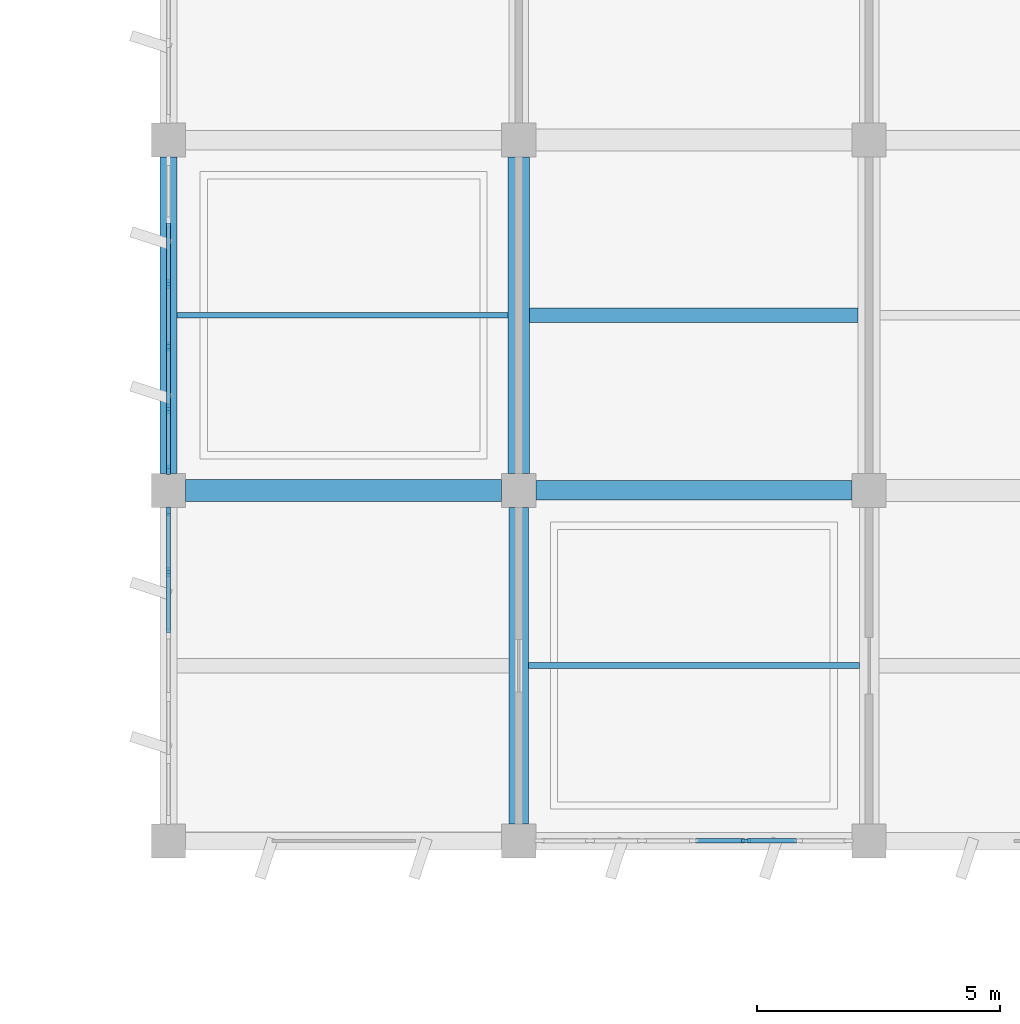
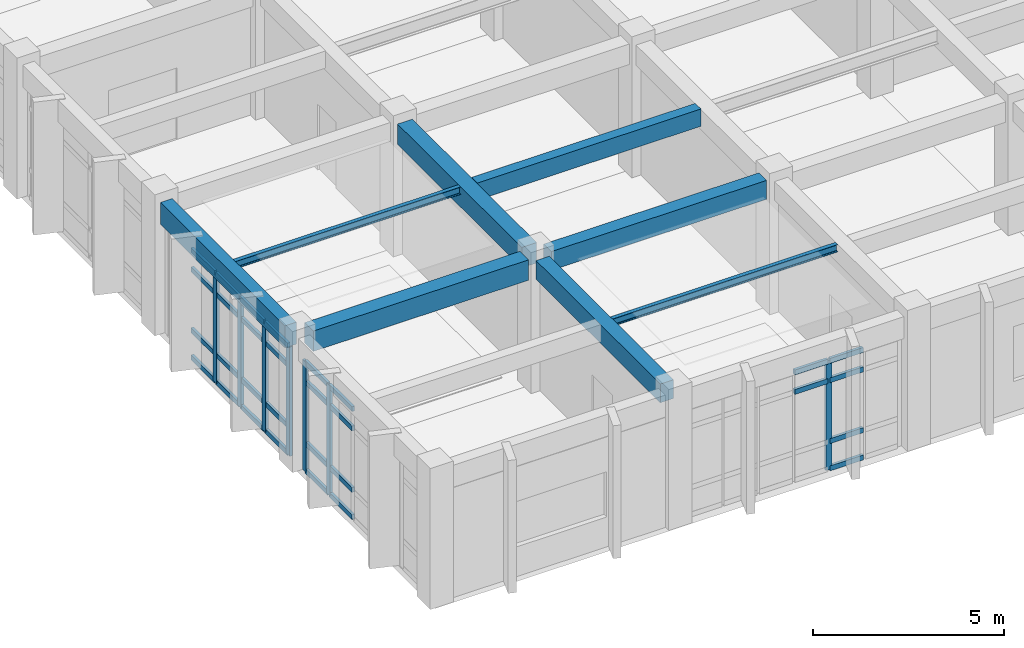
# One storey, part 15 of 81: 39 members, 6 beams, 3 elements without a shape of their own.
"""IFC4 building model written with IfcOpenShell, lengths in metres."""

import ifcopenshell
import ifcopenshell.guid

model = None  # the IFC model being written
_history = None  # IfcOwnerHistory: only IFC2X3 demands one
_inside = {}  # id of a spatial element -> (the spatial element, [elements in it])
_under = {}  # id of a project, library or spatial element -> (it, [spatial elements below it])
_declared = {}  # id of a project -> (the project, [libraries it declares])
_typed = {}  # id of a type object -> (the type object, [elements of that type])
_made_of = {}  # id of a material, layer set ... -> (it, [elements and type objects made of it])


def new_model(schema):
    """Start an empty IFC model of exactly this schema.

    Asked for "IFC4X3", IfcOpenShell would pick the latest addendum, in which some entities
    have other attributes; the version numbers below select the first issue.
    IFC2X3 requires an IfcOwnerHistory on every rooted entity: one is made here for all.
    """
    global model, _history
    if schema == "IFC4X3":
        model = ifcopenshell.file(schema_version=(4, 3, 0, 0))
    else:
        model = ifcopenshell.file(schema=schema)
    _inside.clear()
    _under.clear()
    _declared.clear()
    _typed.clear()
    _made_of.clear()
    _history = None
    if model.schema == "IFC2X3":
        org = make("IfcOrganization", Name="unknown")
        user = make(
            "IfcPersonAndOrganization",
            ThePerson=make("IfcPerson", FamilyName="unknown"),
            TheOrganization=org,
        )
        app = make(
            "IfcApplication",
            ApplicationDeveloper=org,
            Version="unknown",
            ApplicationFullName="unknown",
            ApplicationIdentifier="unknown",
        )
        _history = make(
            "IfcOwnerHistory",
            OwningUser=user,
            OwningApplication=app,
            ChangeAction="ADDED",
            CreationDate=0,
        )
    return model


def make(cls, **values):
    """One entity of the class cls with the attributes given. An attribute that is None is left unset."""
    return model.create_entity(
        cls, **{name: value for name, value in values.items() if value is not None}
    )


def rooted(cls, **values):
    """An entity with a GlobalId (a new one), such as an element, a storey or a relation."""
    return make(cls, GlobalId=ifcopenshell.guid.new(), OwnerHistory=_history, **values)


def si_unit(unit_type, name, prefix=None):
    """IfcSIUnit, for example si_unit("LENGTHUNIT", "METRE", prefix="MILLI")."""
    return make("IfcSIUnit", UnitType=unit_type, Prefix=prefix, Name=name)


def assignment(units):
    """IfcUnitAssignment: the units of a project."""
    return None if units is None else make("IfcUnitAssignment", Units=units)


def point(xyz):
    """IfcCartesianPoint."""
    return None if xyz is None else make("IfcCartesianPoint", Coordinates=xyz)


def direction(xyz):
    """IfcDirection."""
    return None if xyz is None else make("IfcDirection", DirectionRatios=xyz)


def frame(location, z_axis=None, x_axis=None):
    """IfcAxis2Placement3D, a coordinate frame: its origin and axes. An axis left out is left unset."""
    return make(
        "IfcAxis2Placement3D",
        Location=point(location),
        Axis=direction(z_axis),
        RefDirection=direction(x_axis),
    )


def frame_2d(location, x_axis=None):
    """IfcAxis2Placement2D, a coordinate frame in the plane: its origin and x axis."""
    return make(
        "IfcAxis2Placement2D", Location=point(location), RefDirection=direction(x_axis)
    )


def origin():
    """The frame at (0, 0, 0) with its axes left unset."""
    return frame((0.0, 0.0, 0.0))


def origin_2d():
    """The frame at (0, 0) in the plane with its x axis left unset."""
    return frame_2d((0.0, 0.0))


def place(relative_to, where):
    """IfcLocalPlacement: puts the frame where relative to a parent placement (None: the world)."""
    return make(
        "IfcLocalPlacement", PlacementRelTo=relative_to, RelativePlacement=where
    )


def context(
    kind, dimensions, precision=None, world=None, true_north=None, identifier=None
):
    """IfcGeometricRepresentationContext, for example the 3D "Model" context."""
    return make(
        "IfcGeometricRepresentationContext",
        ContextIdentifier=identifier,
        ContextType=kind,
        CoordinateSpaceDimension=dimensions,
        Precision=precision,
        WorldCoordinateSystem=world,
        TrueNorth=true_north,
    )


def subcontext(parent, identifier, kind, view, scale=None):
    """IfcGeometricRepresentationSubContext, for example "Body" below "Model"."""
    return make(
        "IfcGeometricRepresentationSubContext",
        ContextIdentifier=identifier,
        ContextType=kind,
        ParentContext=parent,
        TargetScale=scale,
        TargetView=view,
    )


def project(units=None, contexts=None):
    """IfcProject with its units and contexts."""
    return rooted(
        "IfcProject",
        Name="project",
        RepresentationContexts=contexts,
        UnitsInContext=assignment(units),
    )


def spatial(cls, under=None, at=None, **own):
    """A site, building, storey or space (cls), placed at a placement, below another one or the project."""
    s = rooted(cls, ObjectPlacement=at, **own)
    if under is not None:
        _under.setdefault(under.id(), (under, []))[1].append(s)
    return s


def profile(cls, at=None, kind="AREA", **sizes):
    """A parametric profile (cls). Its sizes go by their IFC names, for example OverallWidth=200.0."""
    return make(cls, ProfileType=kind, Position=at, **sizes)


def rectangle(**sizes):
    """IfcRectangleProfileDef."""
    return profile("IfcRectangleProfileDef", **sizes)


def i_section(**sizes):
    """IfcIShapeProfileDef."""
    return profile("IfcIShapeProfileDef", **sizes)


def extrude(swept, where, along, depth):
    """IfcExtrudedAreaSolid: the profile swept, set in the frame where, extruded along a direction by depth."""
    return make(
        "IfcExtrudedAreaSolid",
        SweptArea=swept,
        Position=where,
        ExtrudedDirection=direction(along),
        Depth=depth,
    )


def shape(context_of_items, identifier, shape_type, items):
    """IfcShapeRepresentation: the items that make up one representation, for example the "Body"."""
    return make(
        "IfcShapeRepresentation",
        ContextOfItems=context_of_items,
        RepresentationIdentifier=identifier,
        RepresentationType=shape_type,
        Items=items,
    )


def material(Name=None, Category=None):
    """IfcMaterial."""
    return make("IfcMaterial", Name=Name, Category=Category)


def layer(
    of_material, thickness, ventilated=None, Name=None, Category=None, Priority=None
):
    """IfcMaterialLayer: one layer of a wall or slab, of a material (None: an air gap)."""
    return make(
        "IfcMaterialLayer",
        Material=of_material,
        LayerThickness=thickness,
        IsVentilated=ventilated,
        Name=Name,
        Category=Category,
        Priority=Priority,
    )


def layer_set(layers, Name=None):
    """IfcMaterialLayerSet."""
    return make("IfcMaterialLayerSet", MaterialLayers=layers, LayerSetName=Name)


def material_profile(
    of_material, cross_section, Name=None, Category=None, Priority=None
):
    """IfcMaterialProfile: a cross section and its material."""
    return make(
        "IfcMaterialProfile",
        Name=Name,
        Material=of_material,
        Profile=cross_section,
        Priority=Priority,
        Category=Category,
    )


def profile_set(profiles, Name=None, composite=None):
    """IfcMaterialProfileSet."""
    return make(
        "IfcMaterialProfileSet",
        Name=Name,
        MaterialProfiles=profiles,
        CompositeProfile=composite,
    )


def made_of(thing, what):
    """Note that an element or type object is made of a material, layer set ...; save() writes the relation."""
    if what is not None:
        _made_of.setdefault(what.id(), (what, []))[1].append(thing)
    return thing


def type_object(cls, material=None, **own):
    """A type object (cls), such as IfcWallType, which elements share."""
    return made_of(rooted(cls, **own), material)


def element(
    cls,
    number,
    at=None,
    inside=None,
    cuts=None,
    type_object=None,
    material=None,
    context=None,
    identifier="Body",
    shape_type=None,
    held_by="IfcProductDefinitionShape",
    body=None,
    shapes=None,
    **own,
):
    """One element of the class cls, such as IfcWall. Its Tag is "e" and its number.

    at: its placement. inside: the storey or other place that contains it. cuts: it is an
    opening in that element (IfcRelVoidsElement). A single representation is given by context,
    identifier, shape_type and body (its items); several are given by shapes. held_by: the class
    of the entity that holds the representations. save() writes the other relations.
    """
    e = rooted(cls, Tag="e%d" % number, ObjectPlacement=at, **own)
    if body is not None:
        shapes = [shape(context, identifier, shape_type, body)]
    if shapes is not None:
        e.Representation = make(held_by, Representations=shapes)
    if inside is not None:
        _inside.setdefault(inside.id(), (inside, []))[1].append(e)
    if cuts is not None:
        rooted(
            "IfcRelVoidsElement", RelatingBuildingElement=cuts, RelatedOpeningElement=e
        )
    if type_object is not None:
        _typed.setdefault(type_object.id(), (type_object, []))[1].append(e)
    return made_of(e, material)


def aggregate(whole, parts):
    """IfcRelAggregates: a whole, such as a stair, and the parts it consists of."""
    return rooted("IfcRelAggregates", RelatingObject=whole, RelatedObjects=parts)


def save(model, path):
    """Write the relations noted so far, then the file.

    IfcRelAggregates (storeys below a building ...), IfcRelContainedInSpatialStructure (elements
    in a storey), IfcRelDefinesByType, IfcRelAssociatesMaterial and IfcRelDeclares: one each for
    every whole, place, type object, material and project.
    """
    for whole, parts in _under.values():
        aggregate(whole, parts)
    for where, things in _inside.values():
        rooted(
            "IfcRelContainedInSpatialStructure",
            RelatedElements=things,
            RelatingStructure=where,
        )
    for kind, things in _typed.values():
        rooted("IfcRelDefinesByType", RelatedObjects=things, RelatingType=kind)
    for what, things in _made_of.values():
        rooted("IfcRelAssociatesMaterial", RelatedObjects=things, RelatingMaterial=what)
    for by, libraries in _declared.values():
        rooted("IfcRelDeclares", RelatingContext=by, RelatedDefinitions=libraries)
    model.write(path)


model = new_model("IFC4")

# Units and contexts
model_context = context("Model", 3, precision=1e-05, world=origin(), true_north=direction((0.0, 1.0)))
body_context = subcontext(model_context, "Body", "Model", "MODEL_VIEW")
ifc_project = project(units=[si_unit("LENGTHUNIT", "METRE"), si_unit("AREAUNIT", "SQUARE_METRE"), si_unit("VOLUMEUNIT", "CUBIC_METRE"), si_unit("PLANEANGLEUNIT", "RADIAN"), si_unit("MASSUNIT", "GRAM", prefix="KILO")], contexts=[model_context])

# Site, building, storey
site_placement = place(None, origin())
site = spatial("IfcSite", under=ifc_project, at=site_placement, CompositionType="ELEMENT")
building_placement = place(site_placement, origin())
building = spatial("IfcBuilding", under=site, at=building_placement, Name="Kavelor Marine Aquarium", CompositionType="ELEMENT")
storey_placement = place(building_placement, frame((0.0, 0.0, 4.679931640625)))
storey = spatial("IfcBuildingStorey", under=building, at=storey_placement, Name="L01", CompositionType="ELEMENT", Elevation=4.679931640625)

# Beams
ifc_material_1 = material(Name="Concrete C40/50", Category="concrete")
ifc_material_profile_1 = material_profile(ifc_material_1, rectangle(XDim=0.449951171875, YDim=0.64990234375, at=origin_2d()), Name="RC-BM 450x650")
ifc_profile_set_1 = profile_set([ifc_material_profile_1], Name="Concrete C40/50")
beam_type_1 = type_object("IfcBeamType", Name="BM-B3", PredefinedType="BEAM", material=ifc_profile_set_1)
for number, where, z_axis, x_axis, name in (
    (1, (118.75, 60.39990234375, 3.875), (1.0, 0.0, 0.0), (0.0, 1.0, 0.0), "bm:x:L01:L02:16_08"),
    (2, (125.60009765625, 60.75, 3.875), (0.0, 1.0, 0.0), (-1.0, 0.0, 0.0), "bm:y:L01:L02:17_08"),
):
    element("IfcBeam", number, at=place(storey_placement, frame(where, z_axis=z_axis, x_axis=x_axis)), inside=storey, type_object=beam_type_1, Name=name, PredefinedType="BEAM", context=body_context, shape_type="SweptSolid", body=[
        extrude(rectangle(XDim=0.449951171875, YDim=0.64990234375, at=origin_2d()), origin(), (0.0, 0.0, 1.0), 6.5),
    ])
ifc_material_2 = material(Name="Concrete C40/50", Category="concrete")
ifc_material_profile_2 = material_profile(ifc_material_2, rectangle(XDim=0.39990234375, YDim=0.60009765625, at=origin_2d()), Name="RC-BM 400x600")
ifc_profile_set_2 = profile_set([ifc_material_profile_2], Name="Concrete C40/50")
beam_type_2 = type_object("IfcBeamType", Name="BM-B4", PredefinedType="BEAM", material=ifc_profile_set_2)
for number, where, z_axis, x_axis, name in (
    (3, (125.949951171875, 60.39990234375, 3.900146484375), (1.0, 0.0, 0.0), (0.0, 1.0, 0.0), "bm:x:L01:L02:17_08"),
    (4, (125.60009765625, 53.550048828125, 3.900146484375), (0.0, 1.0, 0.0), (-1.0, 0.0, 0.0), "bm:y:L01:L02:17_07"),
):
    element("IfcBeam", number, at=place(storey_placement, frame(where, z_axis=z_axis, x_axis=x_axis)), inside=storey, type_object=beam_type_2, Name=name, PredefinedType="BEAM", context=body_context, shape_type="SweptSolid", body=[
        extrude(rectangle(XDim=0.39990234375, YDim=0.60009765625, at=origin_2d()), origin(), (0.0, 0.0, 1.0), 6.5),
    ])
ifc_material_3 = material(Name="Concrete C40/50", Category="concrete")
ifc_material_profile_3 = material_profile(ifc_material_3, rectangle(XDim=0.300048828125, YDim=0.550048828125, at=origin_2d()), Name="RC-JS 300x550")
ifc_profile_set_3 = profile_set([ifc_material_profile_3], Name="Concrete C40/50")
beam_type_3 = type_object("IfcBeamType", Name="BM-JS2", PredefinedType="JOIST", material=ifc_profile_set_3)
beam_1_placement = place(storey_placement, frame((125.824951171875, 64.0, 3.945068359375), z_axis=(1.0, 0.0, 0.0), x_axis=(0.0, 1.0, 0.0)))
element("IfcBeam", 5, at=beam_1_placement, inside=storey, type_object=beam_type_3, Name="js:L01:L02:17_08", PredefinedType="JOIST", context=body_context, shape_type="SweptSolid", body=[
    extrude(rectangle(XDim=0.300048828125, YDim=0.550048828125, at=origin_2d()), origin(), (0.0, 0.0, 1.0), 6.75),
])
ifc_material_4 = material(Name="Concrete C40/50", Category="concrete")
ifc_material_profile_4 = material_profile(ifc_material_4, rectangle(XDim=0.35009765625, YDim=0.699951171875, at=origin_2d()), Name="RC-SP 350x700")
ifc_profile_set_4 = profile_set([ifc_material_profile_4], Name="Concrete C40/50")
beam_type_4 = type_object("IfcBeamType", Name="BM-SP1", PredefinedType="SPANDREL", material=ifc_profile_set_4)
beam_2_placement = place(storey_placement, frame((118.39990234375, 60.75, 3.85009765625), z_axis=(0.0, 1.0, 0.0), x_axis=(-1.0, 0.0, 0.0)))
element("IfcBeam", 6, at=beam_2_placement, inside=storey, type_object=beam_type_4, Name="bm:y:L01:L02:16_08", PredefinedType="SPANDREL", context=body_context, shape_type="SweptSolid", body=[
    extrude(rectangle(XDim=0.35009765625, YDim=0.699951171875, at=origin_2d()), origin(), (0.0, 0.0, 1.0), 6.5),
])

# Curtain wall, member
ifc_material_5 = material(Name="Thermally Broken Aluminium and Low-E Glass", Category="aluminium")
ifc_layer_1 = layer(ifc_material_5, 0.179931640625)
ifc_layer_set_1 = layer_set([ifc_layer_1], Name="CW-SYS5")
curtain_wall_type_1 = type_object("IfcCurtainWallType", Name="CW-SYS5", PredefinedType="USERDEFINED", material=ifc_layer_set_1)
curtain_wall_1_placement = place(storey_placement, origin())
curtain_wall_1 = element("IfcCurtainWall", 7, at=curtain_wall_1_placement, inside=storey, type_object=curtain_wall_type_1, Name="cw:x:L01:17_07", ObjectType="Curtain Wall", PredefinedType="USERDEFINED")
ifc_material_6 = material(Name="Anodised Aluminium Alloy 6063-T6", Category="aluminium")
ifc_material_profile_5 = material_profile(ifc_material_6, rectangle(XDim=0.080078125, YDim=0.18505859375, at=origin_2d()), Name="CW-MUL 80x185")
ifc_profile_set_5 = profile_set([ifc_material_profile_5], Name="Anodised Aluminium Alloy 6063-T6")
member_type_1 = type_object("IfcMemberType", Name="CWM-2", PredefinedType="MULLION", material=ifc_profile_set_5)
member_1_placement = place(storey_placement, frame((130.268310546875, 53.199951171875, 0.0), z_axis=(0.0, 0.0, 1.0), x_axis=(0.0, -1.0, 0.0)))
member_1 = element("IfcMember", 8, at=member_1_placement, type_object=member_type_1, Name="CW05 mullion 3", PredefinedType="MULLION", context=body_context, shape_type="SweptSolid", body=[
    extrude(rectangle(XDim=0.080078125, YDim=0.18505859375, at=origin_2d()), origin(), (0.0, 0.0, 1.0), 3.489990234375),
])

# Curtain wall, members
ifc_material_7 = material(Name="Thermally Broken Aluminium and Low-E Glass", Category="aluminium")
ifc_layer_2 = layer(ifc_material_7, 0.2041015625)
ifc_layer_set_2 = layer_set([ifc_layer_2], Name="CW-SYS8")
curtain_wall_type_2 = type_object("IfcCurtainWallType", Name="CW-SYS8", PredefinedType="USERDEFINED", material=ifc_layer_set_2)
curtain_wall_2_placement = place(storey_placement, origin())
curtain_wall_2 = element("IfcCurtainWall", 9, at=curtain_wall_2_placement, inside=storey, type_object=curtain_wall_type_2, Name="cw:y:L01:16_07", ObjectType="Curtain Wall", PredefinedType="USERDEFINED")
member_2_placement = place(storey_placement, frame((118.39990234375, 59.972412109375, 0.0), z_axis=(0.0, 0.0, 1.0), x_axis=(1.0, 0.0, 0.0)))
member_2 = element("IfcMember", 10, at=member_2_placement, type_object=member_type_1, Name="CW08 mullion 1", PredefinedType="MULLION", context=body_context, shape_type="SweptSolid", body=[
    extrude(rectangle(XDim=0.080078125, YDim=0.18505859375, at=origin_2d()), origin(), (0.0, 0.0, 1.0), 3.510009765625),
])
member_3_placement = place(storey_placement, frame((118.39990234375, 58.722900390625, 0.0), z_axis=(0.0, 0.0, 1.0), x_axis=(1.0, 0.0, 0.0)))
member_3 = element("IfcMember", 11, at=member_3_placement, type_object=member_type_1, Name="CW08 mullion 2", PredefinedType="MULLION", context=body_context, shape_type="SweptSolid", body=[
    extrude(rectangle(XDim=0.080078125, YDim=0.18505859375, at=origin_2d()), origin(), (0.0, 0.0, 1.0), 3.510009765625),
])

ifc_material_8 = material(Name="Thermally Broken Aluminium and Low-E Glass", Category="aluminium")
ifc_layer_3 = layer(ifc_material_8, 0.2119140625)
ifc_layer_set_3 = layer_set([ifc_layer_3], Name="CW-SYS9")
curtain_wall_type_3 = type_object("IfcCurtainWallType", Name="CW-SYS9", PredefinedType="USERDEFINED", material=ifc_layer_set_3)
curtain_wall_3_placement = place(storey_placement, origin())
curtain_wall_3 = element("IfcCurtainWall", 12, at=curtain_wall_3_placement, inside=storey, type_object=curtain_wall_type_3, Name="cw:y:L01:16_08", ObjectType="Curtain Wall", PredefinedType="USERDEFINED")
ifc_material_9 = material(Name="Anodised Aluminium Alloy 6063-T6", Category="aluminium")
ifc_material_profile_6 = material_profile(ifc_material_9, rectangle(XDim=0.0849609375, YDim=0.18994140625, at=origin_2d()), Name="CW-MUL 85x190")
ifc_profile_set_6 = profile_set([ifc_material_profile_6], Name="Anodised Aluminium Alloy 6063-T6")
member_type_2 = type_object("IfcMemberType", Name="CWM-3", PredefinedType="MULLION", material=ifc_profile_set_6)
member_4_placement = place(storey_placement, frame((118.39990234375, 64.64111328125, 0.0), z_axis=(0.0, 0.0, 1.0), x_axis=(1.0, 0.0, 0.0)))
member_4 = element("IfcMember", 13, at=member_4_placement, type_object=member_type_2, Name="CW09 mullion 3", PredefinedType="MULLION", context=body_context, shape_type="SweptSolid", body=[
    extrude(rectangle(XDim=0.0849609375, YDim=0.18994140625, at=origin_2d()), origin(), (0.0, 0.0, 1.0), 3.489990234375),
])
member_5_placement = place(storey_placement, frame((118.39990234375, 63.35888671875, 0.0), z_axis=(0.0, 0.0, 1.0), x_axis=(1.0, 0.0, 0.0)))
member_5 = element("IfcMember", 14, at=member_5_placement, type_object=member_type_2, Name="CW09 mullion 4", PredefinedType="MULLION", context=body_context, shape_type="SweptSolid", body=[
    extrude(rectangle(XDim=0.0849609375, YDim=0.18994140625, at=origin_2d()), origin(), (0.0, 0.0, 1.0), 3.489990234375),
])
member_6_placement = place(storey_placement, frame((118.39990234375, 62.076904296875, 0.0), z_axis=(0.0, 0.0, 1.0), x_axis=(1.0, 0.0, 0.0)))
member_6 = element("IfcMember", 15, at=member_6_placement, type_object=member_type_2, Name="CW09 mullion 5", PredefinedType="MULLION", context=body_context, shape_type="SweptSolid", body=[
    extrude(rectangle(XDim=0.0849609375, YDim=0.18994140625, at=origin_2d()), origin(), (0.0, 0.0, 1.0), 3.489990234375),
])
member_7_placement = place(storey_placement, frame((118.39990234375, 60.824951171875, 0.0), z_axis=(0.0, 0.0, 1.0), x_axis=(1.0, 0.0, 0.0)))
member_7 = element("IfcMember", 16, at=member_7_placement, type_object=member_type_2, Name="CW09 mullion 6", PredefinedType="MULLION", context=body_context, shape_type="SweptSolid", body=[
    extrude(rectangle(XDim=0.0849609375, YDim=0.18994140625, at=origin_2d()), origin(), (0.0, 0.0, 1.0), 3.489990234375),
])

# Member
ifc_material_10 = material(Name="Anodised Aluminium Alloy 6063-T6", Category="aluminium")
ifc_material_profile_7 = material_profile(ifc_material_10, rectangle(XDim=0.080078125, YDim=0.155029296875, at=origin_2d()), Name="CW-TRN 80x155")
ifc_profile_set_7 = profile_set([ifc_material_profile_7], Name="Anodised Aluminium Alloy 6063-T6")
member_type_3 = type_object("IfcMemberType", Name="CWT-2", PredefinedType="USERDEFINED", material=ifc_profile_set_7)
member_8_placement = place(storey_placement, frame((118.39990234375, 59.93994140625, 0.032470703125), z_axis=(0.0, -1.0, 0.0), x_axis=(1.0, 0.0, 0.0)))
member_8 = element("IfcMember", 17, at=member_8_placement, type_object=member_type_3, Name="CW08 transom 1.1", ObjectType="TRANSOM", PredefinedType="USERDEFINED", context=body_context, shape_type="SweptSolid", body=[
    extrude(rectangle(XDim=0.080078125, YDim=0.155029296875, at=origin_2d()), origin(), (0.0, 0.0, 1.0), 1.184326171875),
])

member_9_placement = place(storey_placement, frame((118.39990234375, 59.93994140625, 0.900146484375), z_axis=(0.0, -1.0, 0.0), x_axis=(1.0, 0.0, 0.0)))
member_9 = element("IfcMember", 18, at=member_9_placement, type_object=member_type_3, Name="CW08 transom 1.2", ObjectType="TRANSOM", PredefinedType="USERDEFINED", context=body_context, shape_type="SweptSolid", body=[
    extrude(rectangle(XDim=0.080078125, YDim=0.155029296875, at=origin_2d()), origin(), (0.0, 0.0, 1.0), 1.184326171875),
])

member_10_placement = place(storey_placement, frame((118.39990234375, 59.93994140625, 2.860107421875), z_axis=(0.0, -1.0, 0.0), x_axis=(1.0, 0.0, 0.0)))
member_10 = element("IfcMember", 19, at=member_10_placement, type_object=member_type_3, Name="CW08 transom 1.3", ObjectType="TRANSOM", PredefinedType="USERDEFINED", context=body_context, shape_type="SweptSolid", body=[
    extrude(rectangle(XDim=0.080078125, YDim=0.155029296875, at=origin_2d()), origin(), (0.0, 0.0, 1.0), 1.184326171875),
])

member_11_placement = place(storey_placement, frame((118.39990234375, 59.93994140625, 3.4775390625), z_axis=(0.0, -1.0, 0.0), x_axis=(1.0, 0.0, 0.0)))
member_11 = element("IfcMember", 20, at=member_11_placement, type_object=member_type_3, Name="CW08 transom 1.4", ObjectType="TRANSOM", PredefinedType="USERDEFINED", context=body_context, shape_type="SweptSolid", body=[
    extrude(rectangle(XDim=0.080078125, YDim=0.155029296875, at=origin_2d()), origin(), (0.0, 0.0, 1.0), 1.184326171875),
])

member_12_placement = place(storey_placement, frame((118.39990234375, 58.6904296875, 0.032470703125), z_axis=(0.0, -1.0, 0.0), x_axis=(1.0, 0.0, 0.0)))
member_12 = element("IfcMember", 21, at=member_12_placement, type_object=member_type_3, Name="CW08 transom 2.1", ObjectType="TRANSOM", PredefinedType="USERDEFINED", context=body_context, shape_type="SweptSolid", body=[
    extrude(rectangle(XDim=0.080078125, YDim=0.155029296875, at=origin_2d()), origin(), (0.0, 0.0, 1.0), 1.217041015625),
])

member_13_placement = place(storey_placement, frame((118.39990234375, 58.6904296875, 0.900146484375), z_axis=(0.0, -1.0, 0.0), x_axis=(1.0, 0.0, 0.0)))
member_13 = element("IfcMember", 22, at=member_13_placement, type_object=member_type_3, Name="CW08 transom 2.2", ObjectType="TRANSOM", PredefinedType="USERDEFINED", context=body_context, shape_type="SweptSolid", body=[
    extrude(rectangle(XDim=0.080078125, YDim=0.155029296875, at=origin_2d()), origin(), (0.0, 0.0, 1.0), 1.217041015625),
])

member_14_placement = place(storey_placement, frame((118.39990234375, 58.6904296875, 2.860107421875), z_axis=(0.0, -1.0, 0.0), x_axis=(1.0, 0.0, 0.0)))
member_14 = element("IfcMember", 23, at=member_14_placement, type_object=member_type_3, Name="CW08 transom 2.3", ObjectType="TRANSOM", PredefinedType="USERDEFINED", context=body_context, shape_type="SweptSolid", body=[
    extrude(rectangle(XDim=0.080078125, YDim=0.155029296875, at=origin_2d()), origin(), (0.0, 0.0, 1.0), 1.217041015625),
])

member_15_placement = place(storey_placement, frame((118.39990234375, 58.6904296875, 3.4775390625), z_axis=(0.0, -1.0, 0.0), x_axis=(1.0, 0.0, 0.0)))
member_15 = element("IfcMember", 24, at=member_15_placement, type_object=member_type_3, Name="CW08 transom 2.4", ObjectType="TRANSOM", PredefinedType="USERDEFINED", context=body_context, shape_type="SweptSolid", body=[
    extrude(rectangle(XDim=0.080078125, YDim=0.155029296875, at=origin_2d()), origin(), (0.0, 0.0, 1.0), 1.217041015625),
])

aggregate(curtain_wall_2, [member_2, member_3, member_8, member_9, member_10, member_11, member_12, member_13, member_14, member_15])

member_16_placement = place(storey_placement, frame((118.39990234375, 65.89306640625, 0.032470703125), z_axis=(0.0, -1.0, 0.0), x_axis=(1.0, 0.0, 0.0)))
member_16 = element("IfcMember", 25, at=member_16_placement, type_object=member_type_3, Name="CW09 transom 2.1", ObjectType="TRANSOM", PredefinedType="USERDEFINED", context=body_context, shape_type="SweptSolid", body=[
    extrude(rectangle(XDim=0.080078125, YDim=0.155029296875, at=origin_2d()), origin(), (0.0, 0.0, 1.0), 1.22216796875),
])

member_17_placement = place(storey_placement, frame((118.39990234375, 65.89306640625, 0.900146484375), z_axis=(0.0, -1.0, 0.0), x_axis=(1.0, 0.0, 0.0)))
member_17 = element("IfcMember", 26, at=member_17_placement, type_object=member_type_3, Name="CW09 transom 2.2", ObjectType="TRANSOM", PredefinedType="USERDEFINED", context=body_context, shape_type="SweptSolid", body=[
    extrude(rectangle(XDim=0.080078125, YDim=0.155029296875, at=origin_2d()), origin(), (0.0, 0.0, 1.0), 1.22216796875),
])

member_18_placement = place(storey_placement, frame((118.39990234375, 65.89306640625, 2.840087890625), z_axis=(0.0, -1.0, 0.0), x_axis=(1.0, 0.0, 0.0)))
member_18 = element("IfcMember", 27, at=member_18_placement, type_object=member_type_3, Name="CW09 transom 2.3", ObjectType="TRANSOM", PredefinedType="USERDEFINED", context=body_context, shape_type="SweptSolid", body=[
    extrude(rectangle(XDim=0.080078125, YDim=0.155029296875, at=origin_2d()), origin(), (0.0, 0.0, 1.0), 1.22216796875),
])

member_19_placement = place(storey_placement, frame((118.39990234375, 65.89306640625, 3.45751953125), z_axis=(0.0, -1.0, 0.0), x_axis=(1.0, 0.0, 0.0)))
member_19 = element("IfcMember", 28, at=member_19_placement, type_object=member_type_3, Name="CW09 transom 2.4", ObjectType="TRANSOM", PredefinedType="USERDEFINED", context=body_context, shape_type="SweptSolid", body=[
    extrude(rectangle(XDim=0.080078125, YDim=0.155029296875, at=origin_2d()), origin(), (0.0, 0.0, 1.0), 1.22216796875),
])

member_20_placement = place(storey_placement, frame((118.39990234375, 64.611083984375, 0.032470703125), z_axis=(0.0, -1.0, 0.0), x_axis=(1.0, 0.0, 0.0)))
member_20 = element("IfcMember", 29, at=member_20_placement, type_object=member_type_3, Name="CW09 transom 3.1", ObjectType="TRANSOM", PredefinedType="USERDEFINED", context=body_context, shape_type="SweptSolid", body=[
    extrude(rectangle(XDim=0.080078125, YDim=0.155029296875, at=origin_2d()), origin(), (0.0, 0.0, 1.0), 1.22216796875),
])

member_21_placement = place(storey_placement, frame((118.39990234375, 64.611083984375, 0.900146484375), z_axis=(0.0, -1.0, 0.0), x_axis=(1.0, 0.0, 0.0)))
member_21 = element("IfcMember", 30, at=member_21_placement, type_object=member_type_3, Name="CW09 transom 3.2", ObjectType="TRANSOM", PredefinedType="USERDEFINED", context=body_context, shape_type="SweptSolid", body=[
    extrude(rectangle(XDim=0.080078125, YDim=0.155029296875, at=origin_2d()), origin(), (0.0, 0.0, 1.0), 1.22216796875),
])

member_22_placement = place(storey_placement, frame((118.39990234375, 64.611083984375, 2.840087890625), z_axis=(0.0, -1.0, 0.0), x_axis=(1.0, 0.0, 0.0)))
member_22 = element("IfcMember", 31, at=member_22_placement, type_object=member_type_3, Name="CW09 transom 3.3", ObjectType="TRANSOM", PredefinedType="USERDEFINED", context=body_context, shape_type="SweptSolid", body=[
    extrude(rectangle(XDim=0.080078125, YDim=0.155029296875, at=origin_2d()), origin(), (0.0, 0.0, 1.0), 1.22216796875),
])

member_23_placement = place(storey_placement, frame((118.39990234375, 64.611083984375, 3.45751953125), z_axis=(0.0, -1.0, 0.0), x_axis=(1.0, 0.0, 0.0)))
member_23 = element("IfcMember", 32, at=member_23_placement, type_object=member_type_3, Name="CW09 transom 3.4", ObjectType="TRANSOM", PredefinedType="USERDEFINED", context=body_context, shape_type="SweptSolid", body=[
    extrude(rectangle(XDim=0.080078125, YDim=0.155029296875, at=origin_2d()), origin(), (0.0, 0.0, 1.0), 1.22216796875),
])

member_24_placement = place(storey_placement, frame((118.39990234375, 63.3291015625, 0.032470703125), z_axis=(0.0, -1.0, 0.0), x_axis=(1.0, 0.0, 0.0)))
member_24 = element("IfcMember", 33, at=member_24_placement, type_object=member_type_3, Name="CW09 transom 4.1", ObjectType="TRANSOM", PredefinedType="USERDEFINED", context=body_context, shape_type="SweptSolid", body=[
    extrude(rectangle(XDim=0.080078125, YDim=0.155029296875, at=origin_2d()), origin(), (0.0, 0.0, 1.0), 1.22216796875),
])

member_25_placement = place(storey_placement, frame((118.39990234375, 63.3291015625, 0.900146484375), z_axis=(0.0, -1.0, 0.0), x_axis=(1.0, 0.0, 0.0)))
member_25 = element("IfcMember", 34, at=member_25_placement, type_object=member_type_3, Name="CW09 transom 4.2", ObjectType="TRANSOM", PredefinedType="USERDEFINED", context=body_context, shape_type="SweptSolid", body=[
    extrude(rectangle(XDim=0.080078125, YDim=0.155029296875, at=origin_2d()), origin(), (0.0, 0.0, 1.0), 1.22216796875),
])

member_26_placement = place(storey_placement, frame((118.39990234375, 63.3291015625, 2.840087890625), z_axis=(0.0, -1.0, 0.0), x_axis=(1.0, 0.0, 0.0)))
member_26 = element("IfcMember", 35, at=member_26_placement, type_object=member_type_3, Name="CW09 transom 4.3", ObjectType="TRANSOM", PredefinedType="USERDEFINED", context=body_context, shape_type="SweptSolid", body=[
    extrude(rectangle(XDim=0.080078125, YDim=0.155029296875, at=origin_2d()), origin(), (0.0, 0.0, 1.0), 1.22216796875),
])

member_27_placement = place(storey_placement, frame((118.39990234375, 63.3291015625, 3.45751953125), z_axis=(0.0, -1.0, 0.0), x_axis=(1.0, 0.0, 0.0)))
member_27 = element("IfcMember", 36, at=member_27_placement, type_object=member_type_3, Name="CW09 transom 4.4", ObjectType="TRANSOM", PredefinedType="USERDEFINED", context=body_context, shape_type="SweptSolid", body=[
    extrude(rectangle(XDim=0.080078125, YDim=0.155029296875, at=origin_2d()), origin(), (0.0, 0.0, 1.0), 1.22216796875),
])

member_28_placement = place(storey_placement, frame((118.39990234375, 62.047119140625, 0.032470703125), z_axis=(0.0, -1.0, 0.0), x_axis=(1.0, 0.0, 0.0)))
member_28 = element("IfcMember", 37, at=member_28_placement, type_object=member_type_3, Name="CW09 transom 5.1", ObjectType="TRANSOM", PredefinedType="USERDEFINED", context=body_context, shape_type="SweptSolid", body=[
    extrude(rectangle(XDim=0.080078125, YDim=0.155029296875, at=origin_2d()), origin(), (0.0, 0.0, 1.0), 1.192138671875),
])

member_29_placement = place(storey_placement, frame((118.39990234375, 62.047119140625, 0.900146484375), z_axis=(0.0, -1.0, 0.0), x_axis=(1.0, 0.0, 0.0)))
member_29 = element("IfcMember", 38, at=member_29_placement, type_object=member_type_3, Name="CW09 transom 5.2", ObjectType="TRANSOM", PredefinedType="USERDEFINED", context=body_context, shape_type="SweptSolid", body=[
    extrude(rectangle(XDim=0.080078125, YDim=0.155029296875, at=origin_2d()), origin(), (0.0, 0.0, 1.0), 1.192138671875),
])

member_30_placement = place(storey_placement, frame((118.39990234375, 62.047119140625, 2.840087890625), z_axis=(0.0, -1.0, 0.0), x_axis=(1.0, 0.0, 0.0)))
member_30 = element("IfcMember", 39, at=member_30_placement, type_object=member_type_3, Name="CW09 transom 5.3", ObjectType="TRANSOM", PredefinedType="USERDEFINED", context=body_context, shape_type="SweptSolid", body=[
    extrude(rectangle(XDim=0.080078125, YDim=0.155029296875, at=origin_2d()), origin(), (0.0, 0.0, 1.0), 1.192138671875),
])

member_31_placement = place(storey_placement, frame((118.39990234375, 62.047119140625, 3.45751953125), z_axis=(0.0, -1.0, 0.0), x_axis=(1.0, 0.0, 0.0)))
member_31 = element("IfcMember", 40, at=member_31_placement, type_object=member_type_3, Name="CW09 transom 5.4", ObjectType="TRANSOM", PredefinedType="USERDEFINED", context=body_context, shape_type="SweptSolid", body=[
    extrude(rectangle(XDim=0.080078125, YDim=0.155029296875, at=origin_2d()), origin(), (0.0, 0.0, 1.0), 1.192138671875),
])

aggregate(curtain_wall_3, [member_4, member_5, member_6, member_7, member_16, member_17, member_18, member_19, member_20, member_21, member_22, member_23, member_24, member_25, member_26, member_27, member_28, member_29, member_30, member_31])

ifc_material_11 = material(Name="Anodised Aluminium Alloy 6063-T6", Category="aluminium")
ifc_material_profile_8 = material_profile(ifc_material_11, rectangle(XDim=0.0849609375, YDim=0.159912109375, at=origin_2d()), Name="CW-TRN 85x160")
ifc_profile_set_8 = profile_set([ifc_material_profile_8], Name="Anodised Aluminium Alloy 6063-T6")
member_type_4 = type_object("IfcMemberType", Name="CWT-3", PredefinedType="USERDEFINED", material=ifc_profile_set_8)
member_32_placement = place(storey_placement, frame((131.30419921875, 53.199951171875, 0.030029296875), z_axis=(-1.0, 0.0, 0.0), x_axis=(0.0, -1.0, 0.0)))
member_32 = element("IfcMember", 41, at=member_32_placement, type_object=member_type_4, Name="CW05 transom 2.1", ObjectType="TRANSOM", PredefinedType="USERDEFINED", context=body_context, shape_type="SweptSolid", body=[
    extrude(rectangle(XDim=0.0849609375, YDim=0.159912109375, at=origin_2d()), origin(), (0.0, 0.0, 1.0), 1.00341796875),
])

member_33_placement = place(storey_placement, frame((131.30419921875, 53.199951171875, 0.900146484375), z_axis=(-1.0, 0.0, 0.0), x_axis=(0.0, -1.0, 0.0)))
member_33 = element("IfcMember", 42, at=member_33_placement, type_object=member_type_4, Name="CW05 transom 2.2", ObjectType="TRANSOM", PredefinedType="USERDEFINED", context=body_context, shape_type="SweptSolid", body=[
    extrude(rectangle(XDim=0.0849609375, YDim=0.159912109375, at=origin_2d()), origin(), (0.0, 0.0, 1.0), 1.00341796875),
])

member_34_placement = place(storey_placement, frame((131.30419921875, 53.199951171875, 2.840087890625), z_axis=(-1.0, 0.0, 0.0), x_axis=(0.0, -1.0, 0.0)))
member_34 = element("IfcMember", 43, at=member_34_placement, type_object=member_type_4, Name="CW05 transom 2.3", ObjectType="TRANSOM", PredefinedType="USERDEFINED", context=body_context, shape_type="SweptSolid", body=[
    extrude(rectangle(XDim=0.0849609375, YDim=0.159912109375, at=origin_2d()), origin(), (0.0, 0.0, 1.0), 1.00341796875),
])

member_35_placement = place(storey_placement, frame((131.30419921875, 53.199951171875, 3.4599609375), z_axis=(-1.0, 0.0, 0.0), x_axis=(0.0, -1.0, 0.0)))
member_35 = element("IfcMember", 44, at=member_35_placement, type_object=member_type_4, Name="CW05 transom 2.4", ObjectType="TRANSOM", PredefinedType="USERDEFINED", context=body_context, shape_type="SweptSolid", body=[
    extrude(rectangle(XDim=0.0849609375, YDim=0.159912109375, at=origin_2d()), origin(), (0.0, 0.0, 1.0), 1.00341796875),
])

member_36_placement = place(storey_placement, frame((130.23583984375, 53.199951171875, 2.840087890625), z_axis=(-1.0, 0.0, 0.0), x_axis=(0.0, -1.0, 0.0)))
member_36 = element("IfcMember", 45, at=member_36_placement, type_object=member_type_4, Name="CW05 transom 3.3", ObjectType="TRANSOM", PredefinedType="USERDEFINED", context=body_context, shape_type="SweptSolid", body=[
    extrude(rectangle(XDim=0.0849609375, YDim=0.159912109375, at=origin_2d()), origin(), (0.0, 0.0, 1.0), 1.00341796875),
])

member_37_placement = place(storey_placement, frame((130.23583984375, 53.199951171875, 3.4599609375), z_axis=(-1.0, 0.0, 0.0), x_axis=(0.0, -1.0, 0.0)))
member_37 = element("IfcMember", 46, at=member_37_placement, type_object=member_type_4, Name="CW05 transom 3.4", ObjectType="TRANSOM", PredefinedType="USERDEFINED", context=body_context, shape_type="SweptSolid", body=[
    extrude(rectangle(XDim=0.0849609375, YDim=0.159912109375, at=origin_2d()), origin(), (0.0, 0.0, 1.0), 1.00341796875),
])

aggregate(curtain_wall_1, [member_1, member_32, member_33, member_34, member_35, member_36, member_37])

# Members
ifc_material_12 = material(Name="Steel S355", Category="steel")
ifc_material_profile_9 = material_profile(ifc_material_12, i_section(OverallWidth=0.1201171875, OverallDepth=0.239990234375, WebThickness=0.006103515625, FlangeThickness=0.009765625, FilletRadius=0.014892578125, at=origin_2d()), Name="IPE 240")
ifc_profile_set_9 = profile_set([ifc_material_profile_9], Name="Steel S355")
member_type_5 = type_object("IfcMemberType", Name="PR-SJ5", PredefinedType="PURLIN", material=ifc_profile_set_9)
for number, where, z_axis, x_axis, name in (
    (47, (118.574951171875, 64.0, 4.080078125), (1.0, 0.0, 0.0), (0.0, 1.0, 0.0), "js:L01:L02:16_08"),
    (48, (125.800048828125, 56.800048828125, 4.080078125), (1.0, 0.0, 0.0), (0.0, 1.0, 0.0), "js:L01:L02:17_07"),
):
    element("IfcMember", number, at=place(storey_placement, frame(where, z_axis=z_axis, x_axis=x_axis)), inside=storey, type_object=member_type_5, Name=name, PredefinedType="PURLIN", context=body_context, shape_type="SweptSolid", body=[
        extrude(i_section(OverallWidth=0.1201171875, OverallDepth=0.239990234375, WebThickness=0.006103515625, FlangeThickness=0.009765625, FilletRadius=0.014892578125, at=origin_2d()), origin(), (0.0, 0.0, 1.0), 6.800048828125),
    ])

save(model, "model.ifc")
